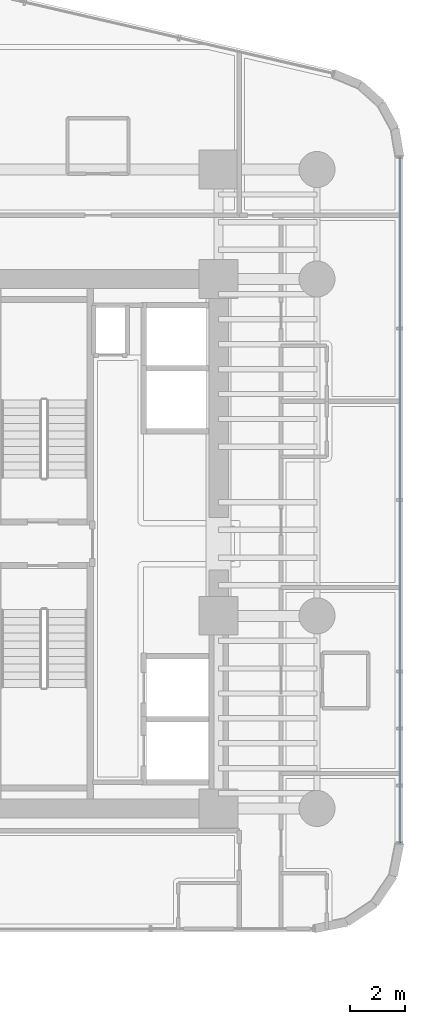
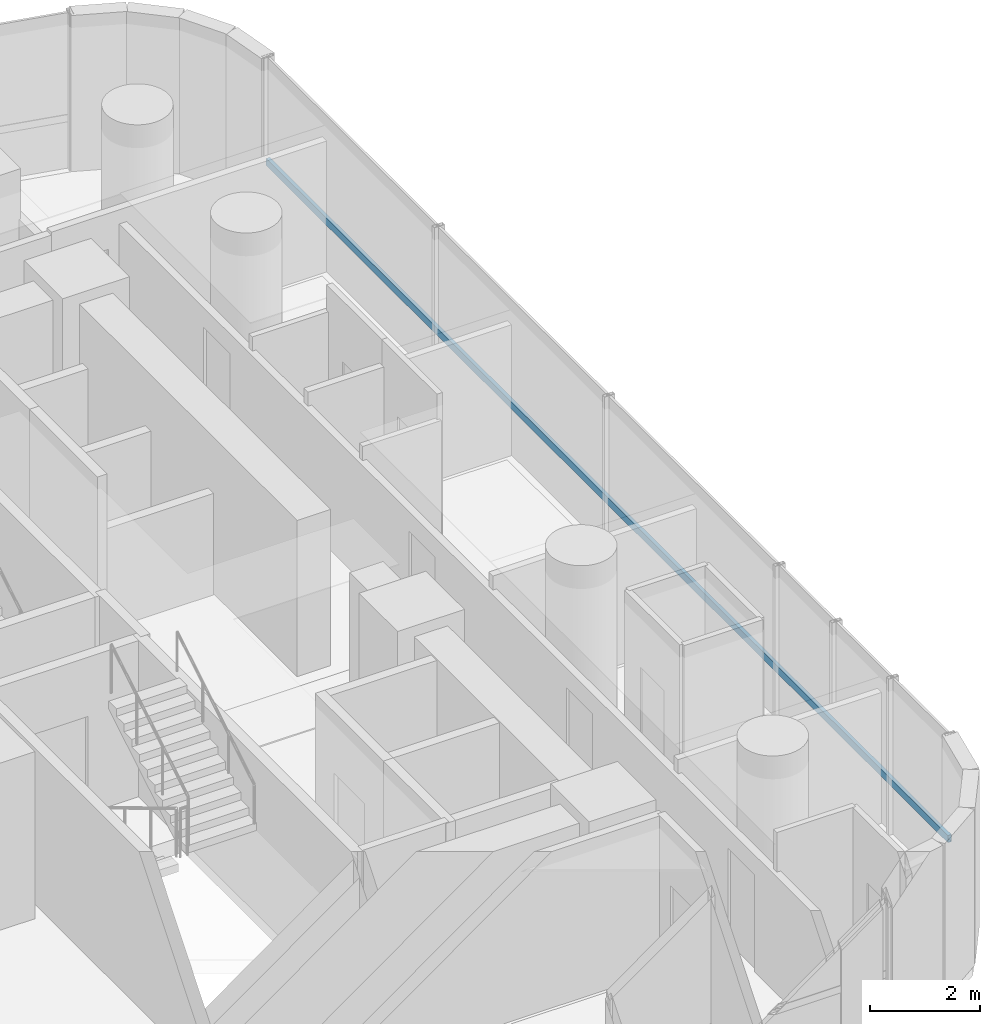
# One storey, part 26 of 42: 1 member, 1 element without a shape of its own.
"""IFC4 building model written with IfcOpenShell, lengths in metres."""

from ifc_helpers import new_model, si_unit, direction, frame, origin, origin_2d, place, context, subcontext, project, spatial, hollow_rectangle, extrude, source, transform, mapped, material, material_profile, profile_set, type_object, element, aggregate, save


model = new_model("IFC4")

# Units and contexts
model_context = context("Model", 3, precision=1e-05, world=origin(), true_north=direction((0.0, 1.0)))
body_context = subcontext(model_context, "Body", "Model", "MODEL_VIEW")
ifc_project = project(units=[si_unit("LENGTHUNIT", "METRE"), si_unit("AREAUNIT", "SQUARE_METRE"), si_unit("VOLUMEUNIT", "CUBIC_METRE"), si_unit("PLANEANGLEUNIT", "RADIAN"), si_unit("MASSUNIT", "GRAM", prefix="KILO")], contexts=[model_context])

# Site, building, storey
site_placement = place(None, origin())
site = spatial("IfcSite", under=ifc_project, at=site_placement, CompositionType="ELEMENT")
building_placement = place(site_placement, origin())
building = spatial("IfcBuilding", under=site, at=building_placement, Name="Valdorenza Pilgrim Sanctuary Tower", CompositionType="ELEMENT")
storey_placement = place(building_placement, frame((0.0, 0.0, 29.699951171875)))
storey = spatial("IfcBuildingStorey", under=building, at=storey_placement, Name="L06", CompositionType="ELEMENT", Elevation=29.699951171875)

# Curtain wall, member
ifc_material_1 = material(Name="Curtain-wall IGU glazing", Category="glass")
curtain_wall_type = type_object("IfcCurtainWallType", Name="CW-SYS-03", PredefinedType="NOTDEFINED", material=ifc_material_1)
curtain_wall_placement = place(storey_placement, origin())
curtain_wall = element("IfcCurtainWall", 1, at=curtain_wall_placement, inside=storey, type_object=curtain_wall_type, Name="L06 Curtain Wall CW-L06-1-21", PredefinedType="NOTDEFINED")
ifc_material_2 = material(Name="Anodised aluminium AW-6060", Category="aluminium")
ifc_material_profile = material_profile(ifc_material_2, hollow_rectangle(XDim=0.074951171875, YDim=0.159912109375, WallThickness=0.00390625, at=origin_2d()), Name="ALU-T 160x75x4")
ifc_profile_set = profile_set([ifc_material_profile], Name="Anodised aluminium AW-6060")
member_type = type_object("IfcMemberType", Name="CW-TRN-03", PredefinedType="USERDEFINED", material=ifc_profile_set)
shared_shape = source(origin(), body_context, "Body", "SweptSolid", [
    extrude(hollow_rectangle(XDim=0.074951171875, YDim=0.159912109375, WallThickness=0.00390625, at=origin_2d()), origin(), (0.0, 0.0, 1.0), 24.734375),
])
member_placement = place(storey_placement, frame((31.389892578125, 13.945068359375, 1.1201171875), z_axis=(0.0, -1.0, 0.0), x_axis=(1.0, 0.0, 0.0)))
member = element("IfcMember", 2, at=member_placement, type_object=member_type, Name="CW-L06-1-21 Transom 1", ObjectType="TRANSOM", PredefinedType="USERDEFINED", context=body_context, shape_type="MappedRepresentation", body=[
    mapped(shared_shape, transform((0.0, 0.0, 0.0), x_axis=(1.0, 0.0, 0.0), y_axis=(0.0, 1.0, 0.0), z_axis=(0.0, 0.0, 1.0), scale=1.0)),
])
aggregate(curtain_wall, [member])

save(model, "model.ifc")
